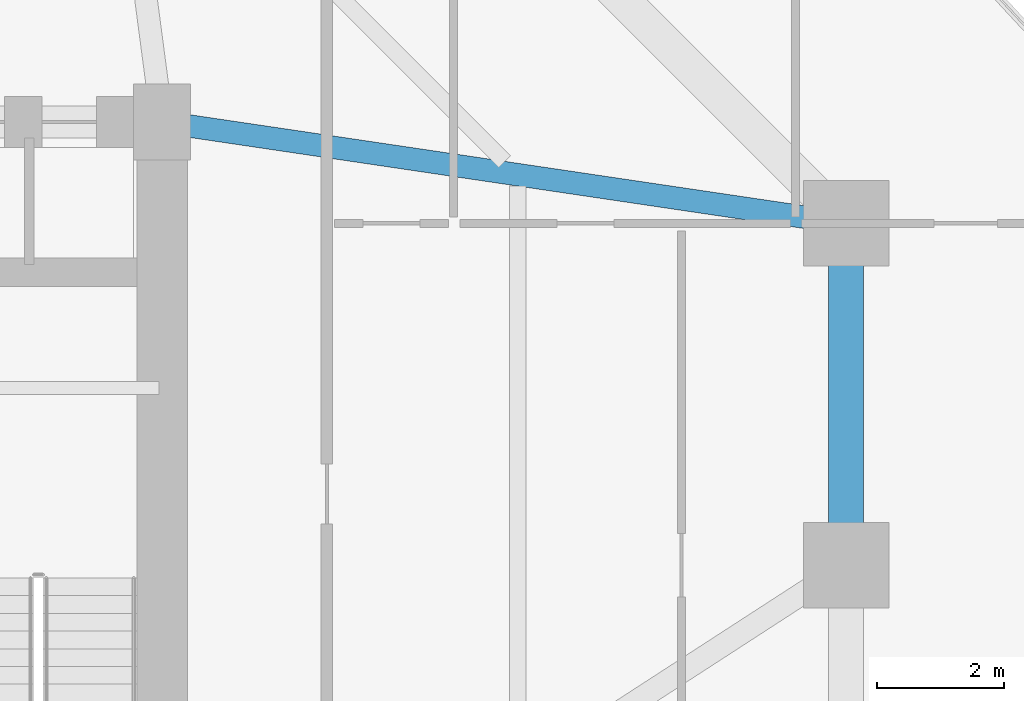
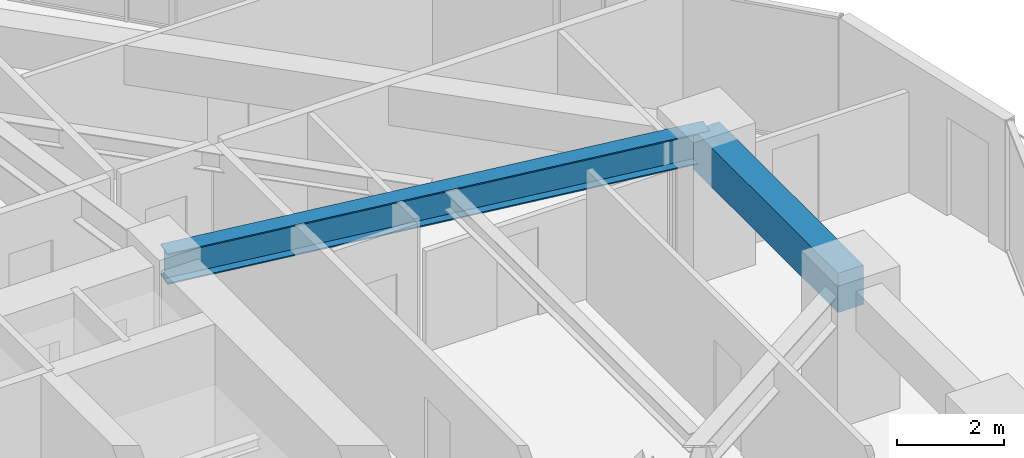
# One storey, part 20 of 39: 2 beams.
"""IFC4 building model written with IfcOpenShell, lengths in metres."""

import ifcopenshell
import ifcopenshell.guid

model = None  # the IFC model being written
_history = None  # IfcOwnerHistory: only IFC2X3 demands one
_inside = {}  # id of a spatial element -> (the spatial element, [elements in it])
_under = {}  # id of a project, library or spatial element -> (it, [spatial elements below it])
_declared = {}  # id of a project -> (the project, [libraries it declares])
_typed = {}  # id of a type object -> (the type object, [elements of that type])
_made_of = {}  # id of a material, layer set ... -> (it, [elements and type objects made of it])


def new_model(schema):
    """Start an empty IFC model of exactly this schema.

    Asked for "IFC4X3", IfcOpenShell would pick the latest addendum, in which some entities
    have other attributes; the version numbers below select the first issue.
    IFC2X3 requires an IfcOwnerHistory on every rooted entity: one is made here for all.
    """
    global model, _history
    if schema == "IFC4X3":
        model = ifcopenshell.file(schema_version=(4, 3, 0, 0))
    else:
        model = ifcopenshell.file(schema=schema)
    _inside.clear()
    _under.clear()
    _declared.clear()
    _typed.clear()
    _made_of.clear()
    _history = None
    if model.schema == "IFC2X3":
        org = make("IfcOrganization", Name="unknown")
        user = make(
            "IfcPersonAndOrganization",
            ThePerson=make("IfcPerson", FamilyName="unknown"),
            TheOrganization=org,
        )
        app = make(
            "IfcApplication",
            ApplicationDeveloper=org,
            Version="unknown",
            ApplicationFullName="unknown",
            ApplicationIdentifier="unknown",
        )
        _history = make(
            "IfcOwnerHistory",
            OwningUser=user,
            OwningApplication=app,
            ChangeAction="ADDED",
            CreationDate=0,
        )
    return model


def make(cls, **values):
    """One entity of the class cls with the attributes given. An attribute that is None is left unset."""
    return model.create_entity(
        cls, **{name: value for name, value in values.items() if value is not None}
    )


def rooted(cls, **values):
    """An entity with a GlobalId (a new one), such as an element, a storey or a relation."""
    return make(cls, GlobalId=ifcopenshell.guid.new(), OwnerHistory=_history, **values)


def si_unit(unit_type, name, prefix=None):
    """IfcSIUnit, for example si_unit("LENGTHUNIT", "METRE", prefix="MILLI")."""
    return make("IfcSIUnit", UnitType=unit_type, Prefix=prefix, Name=name)


def assignment(units):
    """IfcUnitAssignment: the units of a project."""
    return None if units is None else make("IfcUnitAssignment", Units=units)


def point(xyz):
    """IfcCartesianPoint."""
    return None if xyz is None else make("IfcCartesianPoint", Coordinates=xyz)


def direction(xyz):
    """IfcDirection."""
    return None if xyz is None else make("IfcDirection", DirectionRatios=xyz)


def frame(location, z_axis=None, x_axis=None):
    """IfcAxis2Placement3D, a coordinate frame: its origin and axes. An axis left out is left unset."""
    return make(
        "IfcAxis2Placement3D",
        Location=point(location),
        Axis=direction(z_axis),
        RefDirection=direction(x_axis),
    )


def frame_2d(location, x_axis=None):
    """IfcAxis2Placement2D, a coordinate frame in the plane: its origin and x axis."""
    return make(
        "IfcAxis2Placement2D", Location=point(location), RefDirection=direction(x_axis)
    )


def origin():
    """The frame at (0, 0, 0) with its axes left unset."""
    return frame((0.0, 0.0, 0.0))


def origin_2d():
    """The frame at (0, 0) in the plane with its x axis left unset."""
    return frame_2d((0.0, 0.0))


def place(relative_to, where):
    """IfcLocalPlacement: puts the frame where relative to a parent placement (None: the world)."""
    return make(
        "IfcLocalPlacement", PlacementRelTo=relative_to, RelativePlacement=where
    )


def context(
    kind, dimensions, precision=None, world=None, true_north=None, identifier=None
):
    """IfcGeometricRepresentationContext, for example the 3D "Model" context."""
    return make(
        "IfcGeometricRepresentationContext",
        ContextIdentifier=identifier,
        ContextType=kind,
        CoordinateSpaceDimension=dimensions,
        Precision=precision,
        WorldCoordinateSystem=world,
        TrueNorth=true_north,
    )


def subcontext(parent, identifier, kind, view, scale=None):
    """IfcGeometricRepresentationSubContext, for example "Body" below "Model"."""
    return make(
        "IfcGeometricRepresentationSubContext",
        ContextIdentifier=identifier,
        ContextType=kind,
        ParentContext=parent,
        TargetScale=scale,
        TargetView=view,
    )


def project(units=None, contexts=None):
    """IfcProject with its units and contexts."""
    return rooted(
        "IfcProject",
        Name="project",
        RepresentationContexts=contexts,
        UnitsInContext=assignment(units),
    )


def spatial(cls, under=None, at=None, **own):
    """A site, building, storey or space (cls), placed at a placement, below another one or the project."""
    s = rooted(cls, ObjectPlacement=at, **own)
    if under is not None:
        _under.setdefault(under.id(), (under, []))[1].append(s)
    return s


def profile(cls, at=None, kind="AREA", **sizes):
    """A parametric profile (cls). Its sizes go by their IFC names, for example OverallWidth=200.0."""
    return make(cls, ProfileType=kind, Position=at, **sizes)


def rectangle(**sizes):
    """IfcRectangleProfileDef."""
    return profile("IfcRectangleProfileDef", **sizes)


def i_section(**sizes):
    """IfcIShapeProfileDef."""
    return profile("IfcIShapeProfileDef", **sizes)


def extrude(swept, where, along, depth):
    """IfcExtrudedAreaSolid: the profile swept, set in the frame where, extruded along a direction by depth."""
    return make(
        "IfcExtrudedAreaSolid",
        SweptArea=swept,
        Position=where,
        ExtrudedDirection=direction(along),
        Depth=depth,
    )


def shape(context_of_items, identifier, shape_type, items):
    """IfcShapeRepresentation: the items that make up one representation, for example the "Body"."""
    return make(
        "IfcShapeRepresentation",
        ContextOfItems=context_of_items,
        RepresentationIdentifier=identifier,
        RepresentationType=shape_type,
        Items=items,
    )


def material(Name=None, Category=None):
    """IfcMaterial."""
    return make("IfcMaterial", Name=Name, Category=Category)


def material_profile(
    of_material, cross_section, Name=None, Category=None, Priority=None
):
    """IfcMaterialProfile: a cross section and its material."""
    return make(
        "IfcMaterialProfile",
        Name=Name,
        Material=of_material,
        Profile=cross_section,
        Priority=Priority,
        Category=Category,
    )


def profile_set(profiles, Name=None, composite=None):
    """IfcMaterialProfileSet."""
    return make(
        "IfcMaterialProfileSet",
        Name=Name,
        MaterialProfiles=profiles,
        CompositeProfile=composite,
    )


def made_of(thing, what):
    """Note that an element or type object is made of a material, layer set ...; save() writes the relation."""
    if what is not None:
        _made_of.setdefault(what.id(), (what, []))[1].append(thing)
    return thing


def type_object(cls, material=None, **own):
    """A type object (cls), such as IfcWallType, which elements share."""
    return made_of(rooted(cls, **own), material)


def element(
    cls,
    number,
    at=None,
    inside=None,
    cuts=None,
    type_object=None,
    material=None,
    context=None,
    identifier="Body",
    shape_type=None,
    held_by="IfcProductDefinitionShape",
    body=None,
    shapes=None,
    **own,
):
    """One element of the class cls, such as IfcWall. Its Tag is "e" and its number.

    at: its placement. inside: the storey or other place that contains it. cuts: it is an
    opening in that element (IfcRelVoidsElement). A single representation is given by context,
    identifier, shape_type and body (its items); several are given by shapes. held_by: the class
    of the entity that holds the representations. save() writes the other relations.
    """
    e = rooted(cls, Tag="e%d" % number, ObjectPlacement=at, **own)
    if body is not None:
        shapes = [shape(context, identifier, shape_type, body)]
    if shapes is not None:
        e.Representation = make(held_by, Representations=shapes)
    if inside is not None:
        _inside.setdefault(inside.id(), (inside, []))[1].append(e)
    if cuts is not None:
        rooted(
            "IfcRelVoidsElement", RelatingBuildingElement=cuts, RelatedOpeningElement=e
        )
    if type_object is not None:
        _typed.setdefault(type_object.id(), (type_object, []))[1].append(e)
    return made_of(e, material)


def aggregate(whole, parts):
    """IfcRelAggregates: a whole, such as a stair, and the parts it consists of."""
    return rooted("IfcRelAggregates", RelatingObject=whole, RelatedObjects=parts)


def save(model, path):
    """Write the relations noted so far, then the file.

    IfcRelAggregates (storeys below a building ...), IfcRelContainedInSpatialStructure (elements
    in a storey), IfcRelDefinesByType, IfcRelAssociatesMaterial and IfcRelDeclares: one each for
    every whole, place, type object, material and project.
    """
    for whole, parts in _under.values():
        aggregate(whole, parts)
    for where, things in _inside.values():
        rooted(
            "IfcRelContainedInSpatialStructure",
            RelatedElements=things,
            RelatingStructure=where,
        )
    for kind, things in _typed.values():
        rooted("IfcRelDefinesByType", RelatedObjects=things, RelatingType=kind)
    for what, things in _made_of.values():
        rooted("IfcRelAssociatesMaterial", RelatedObjects=things, RelatingMaterial=what)
    for by, libraries in _declared.values():
        rooted("IfcRelDeclares", RelatingContext=by, RelatedDefinitions=libraries)
    model.write(path)


model = new_model("IFC4")

# Units and contexts
model_context = context("Model", 3, precision=1e-05, world=origin(), true_north=direction((0.0, 1.0)))
body_context = subcontext(model_context, "Body", "Model", "MODEL_VIEW")
ifc_project = project(units=[si_unit("LENGTHUNIT", "METRE"), si_unit("AREAUNIT", "SQUARE_METRE"), si_unit("VOLUMEUNIT", "CUBIC_METRE"), si_unit("PLANEANGLEUNIT", "RADIAN"), si_unit("MASSUNIT", "GRAM", prefix="KILO")], contexts=[model_context])

# Site, building, storey
site_placement = place(None, origin())
site = spatial("IfcSite", under=ifc_project, at=site_placement, CompositionType="ELEMENT")
building_placement = place(site_placement, origin())
building = spatial("IfcBuilding", under=site, at=building_placement, Name="Veraguas Prism Commons", CompositionType="ELEMENT")
storey_placement = place(building_placement, frame((0.0, 0.0, 67.35009765625)))
storey = spatial("IfcBuildingStorey", under=building, at=storey_placement, Name="L18", CompositionType="ELEMENT", Elevation=67.35009765625)

# Beams
ifc_material_1 = material(Name="Concrete C50/60", Category="concrete")
ifc_material_profile_1 = material_profile(ifc_material_1, rectangle(XDim=0.550048828125, YDim=0.89990234375, at=origin_2d()), Name="RC550X900")
ifc_profile_set_1 = profile_set([ifc_material_profile_1], Name="Concrete C50/60")
beam_type_1 = type_object("IfcBeamType", Name="Perimeter Spandrel Lower RC 550x900", PredefinedType="SPANDREL", material=ifc_profile_set_1)
beam_1_placement = place(storey_placement, frame((41.60009765625, 24.0, 2.5498046875), z_axis=(0.0, 1.0, 0.0), x_axis=(-1.0, 0.0, 0.0)))
element("IfcBeam", 1, at=beam_1_placement, inside=storey, type_object=beam_type_1, Name="Perimeter Spandrel Beam L18-SP02", PredefinedType="SPANDREL", context=body_context, shape_type="SweptSolid", body=[
    extrude(rectangle(XDim=0.550048828125, YDim=0.89990234375, at=origin_2d()), origin(), (0.0, 0.0, 1.0), 5.39990234375),
])
ifc_material_2 = material(Name="Steel ASTM A992 Grade 50", Category="steel")
ifc_material_profile_2 = material_profile(ifc_material_2, i_section(OverallWidth=0.35595703125, OverallDepth=0.700927734375, WebThickness=0.016845703125, FlangeThickness=0.02734375, at=origin_2d()), Name="W690X240")
ifc_profile_set_2 = profile_set([ifc_material_profile_2], Name="Steel ASTM A992 Grade 50")
beam_type_2 = type_object("IfcBeamType", Name="Zone 1 Radial Girder W690x240", PredefinedType="BEAM", material=ifc_profile_set_2)
beam_2_placement = place(storey_placement, frame((41.60009765625, 29.39990234375, 2.6494140625), z_axis=(-0.989202261707, 0.146556765224, 0.0), x_axis=(-0.146556765224, -0.989202261707, 0.0)))
element("IfcBeam", 2, at=beam_2_placement, inside=storey, type_object=beam_type_2, Name="Radial Floor Girder L18-RD03", PredefinedType="BEAM", context=body_context, shape_type="SweptSolid", body=[
    extrude(i_section(OverallWidth=0.35595703125, OverallDepth=0.700927734375, WebThickness=0.016845703125, FlangeThickness=0.02734375, at=origin_2d()), origin(), (0.0, 0.0, 1.0), 10.91796875),
])

save(model, "model.ifc")
